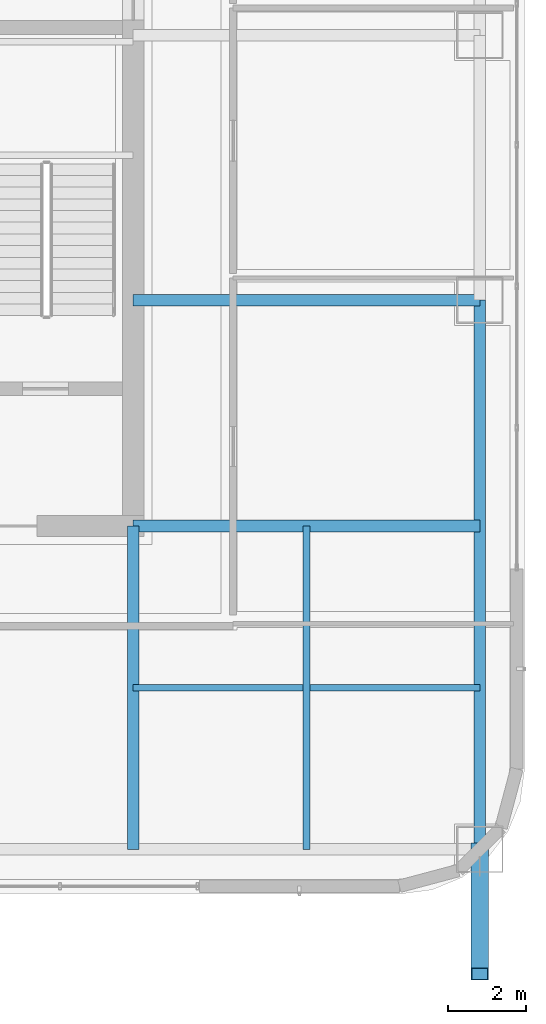
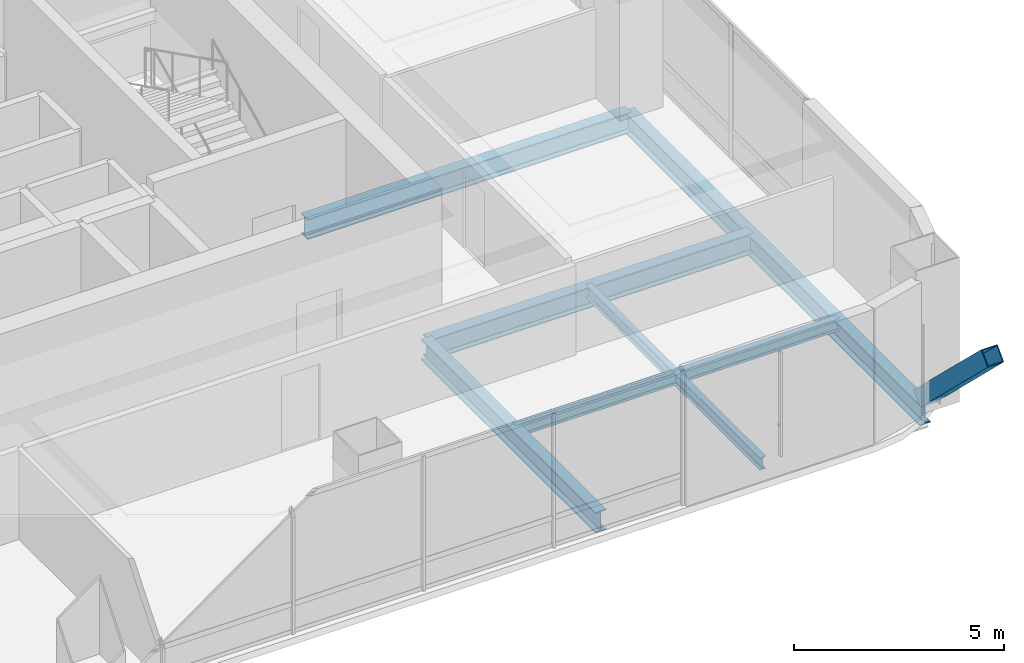
# One storey, part 15 of 51: 6 beams, 1 member.
"""IFC4 building model written with IfcOpenShell, lengths in metres."""

from ifc_helpers import new_model, si_unit, direction, frame, origin, origin_2d, place, context, subcontext, project, spatial, hollow_rectangle, i_section, extrude, material, material_profile, profile_set, type_object, element, save


model = new_model("IFC4")

# Units and contexts
model_context = context("Model", 3, precision=1e-05, world=origin(), true_north=direction((0.0, 1.0)))
body_context = subcontext(model_context, "Body", "Model", "MODEL_VIEW")
ifc_project = project(units=[si_unit("LENGTHUNIT", "METRE"), si_unit("AREAUNIT", "SQUARE_METRE"), si_unit("VOLUMEUNIT", "CUBIC_METRE"), si_unit("PLANEANGLEUNIT", "RADIAN"), si_unit("MASSUNIT", "GRAM", prefix="KILO")], contexts=[model_context])

# Site, building, storey
site_placement = place(None, origin())
site = spatial("IfcSite", under=ifc_project, at=site_placement, CompositionType="ELEMENT")
building_placement = place(site_placement, origin())
building = spatial("IfcBuilding", under=site, at=building_placement, Name="Punatoya Terracotta Tower", CompositionType="ELEMENT")
storey_placement = place(building_placement, frame((0.0, 0.0, 313.199951171875)))
storey = spatial("IfcBuildingStorey", under=building, at=storey_placement, Name="L74", CompositionType="ELEMENT", Elevation=313.199951171875)

# Beams
ifc_material_1 = material(Name="Steel S355", Category="steel")
ifc_material_profile_1 = material_profile(ifc_material_1, i_section(OverallWidth=0.300048828125, OverallDepth=0.60009765625, WebThickness=0.015380859375, FlangeThickness=0.030029296875, FilletRadius=0.01806640625, at=origin_2d()))
ifc_profile_set_1 = profile_set([ifc_material_profile_1], Name="Steel S355")
beam_type_1 = type_object("IfcBeamType", Name="BM-PRI-600", PredefinedType="BEAM", material=ifc_profile_set_1)
beam_1_placement = place(storey_placement, frame((19.10009765625, -17.5, -0.5), z_axis=(0.0, 1.0, 0.0), x_axis=(-1.0, 0.0, 0.0)))
element("IfcBeam", 1, at=beam_1_placement, inside=storey, type_object=beam_type_1, Name="BM-L74-RG-E1", PredefinedType="BEAM", context=body_context, shape_type="SweptSolid", body=[
    extrude(i_section(OverallWidth=0.300048828125, OverallDepth=0.60009765625, WebThickness=0.015380859375, FlangeThickness=0.030029296875, FilletRadius=0.01806640625, at=origin_2d()), origin(), (0.0, 0.0, 1.0), 14.10009765625),
])
for number, where, z_axis, x_axis, name in (
    (2, (10.199951171875, -9.199951171875, -0.5), (1.0, 0.0, 0.0), (0.0, 1.0, 0.0), "BM-L74-PR-ES"),
    (3, (10.199951171875, -3.39990234375, -0.5), (1.0, 0.0, 0.0), (0.0, 1.0, 0.0), "BM-L74-PR-ED"),
):
    element("IfcBeam", number, at=place(storey_placement, frame(where, z_axis=z_axis, x_axis=x_axis)), inside=storey, type_object=beam_type_1, Name=name, PredefinedType="BEAM", context=body_context, shape_type="SweptSolid", body=[
        extrude(i_section(OverallWidth=0.300048828125, OverallDepth=0.60009765625, WebThickness=0.015380859375, FlangeThickness=0.030029296875, FilletRadius=0.01806640625, at=origin_2d()), origin(), (0.0, 0.0, 1.0), 8.900146484375),
    ])
beam_2_placement = place(storey_placement, frame((10.199951171875, -17.5, -0.5), z_axis=(0.0, 1.0, 0.0), x_axis=(-1.0, 0.0, 0.0)))
element("IfcBeam", 4, at=beam_2_placement, inside=storey, type_object=beam_type_1, Name="BM-L74-PR-S4", PredefinedType="BEAM", context=body_context, shape_type="SweptSolid", body=[
    extrude(i_section(OverallWidth=0.300048828125, OverallDepth=0.60009765625, WebThickness=0.015380859375, FlangeThickness=0.030029296875, FilletRadius=0.01806640625, at=origin_2d()), origin(), (0.0, 0.0, 1.0), 8.300048828125),
])
ifc_material_profile_2 = material_profile(ifc_material_1, i_section(OverallWidth=0.169921875, OverallDepth=0.360107421875, WebThickness=0.008056640625, FlangeThickness=0.0126953125, FilletRadius=0.01806640625, at=origin_2d()))
ifc_profile_set_2 = profile_set([ifc_material_profile_2], Name="Steel S355")
beam_type_2 = type_object("IfcBeamType", Name="BM-SEC-360", PredefinedType="JOIST", material=ifc_profile_set_2)
beam_3_placement = place(storey_placement, frame((10.199951171875, -13.35009765625, -0.3798828125), z_axis=(1.0, 0.0, 0.0), x_axis=(0.0, 1.0, 0.0)))
element("IfcBeam", 5, at=beam_3_placement, inside=storey, type_object=beam_type_2, Name="BM-L74-SJS-2", PredefinedType="JOIST", context=body_context, shape_type="SweptSolid", body=[
    extrude(i_section(OverallWidth=0.169921875, OverallDepth=0.360107421875, WebThickness=0.008056640625, FlangeThickness=0.0126953125, FilletRadius=0.01806640625, at=origin_2d()), origin(), (0.0, 0.0, 1.0), 8.900146484375),
])
beam_4_placement = place(storey_placement, frame((14.64990234375, -17.5, -0.3798828125), z_axis=(0.0, 1.0, 0.0), x_axis=(-1.0, 0.0, 0.0)))
element("IfcBeam", 6, at=beam_4_placement, inside=storey, type_object=beam_type_2, Name="BM-L74-SJE-1", PredefinedType="JOIST", context=body_context, shape_type="SweptSolid", body=[
    extrude(i_section(OverallWidth=0.169921875, OverallDepth=0.360107421875, WebThickness=0.008056640625, FlangeThickness=0.0126953125, FilletRadius=0.01806640625, at=origin_2d()), origin(), (0.0, 0.0, 1.0), 8.300048828125),
])

# Member
ifc_material_2 = material(Name="Steel S460", Category="steel")
ifc_material_profile_3 = material_profile(ifc_material_2, hollow_rectangle(XDim=0.449951171875, YDim=0.449951171875, WallThickness=0.02490234375, at=origin_2d()))
ifc_profile_set_3 = profile_set([ifc_material_profile_3], Name="Steel S460")
member_type = type_object("IfcMemberType", Name="MEM-STR-450", PredefinedType="STRUT", material=ifc_profile_set_3)
member_placement = place(storey_placement, frame((19.10009765625, -17.5, 0.02001953125), z_axis=(0.0, -0.718223962936, 0.695811999799), x_axis=(1.0, 0.0, 0.0)))
element("IfcMember", 7, at=member_placement, inside=storey, type_object=member_type, Name="L75 Cantilever Raking Knee-Strut S2", PredefinedType="STRUT", context=body_context, shape_type="SweptSolid", body=[
    extrude(hollow_rectangle(XDim=0.449951171875, YDim=0.449951171875, WallThickness=0.02490234375, at=origin_2d()), origin(), (0.0, 0.0, 1.0), 4.455322265625),
])

save(model, "model.ifc")
